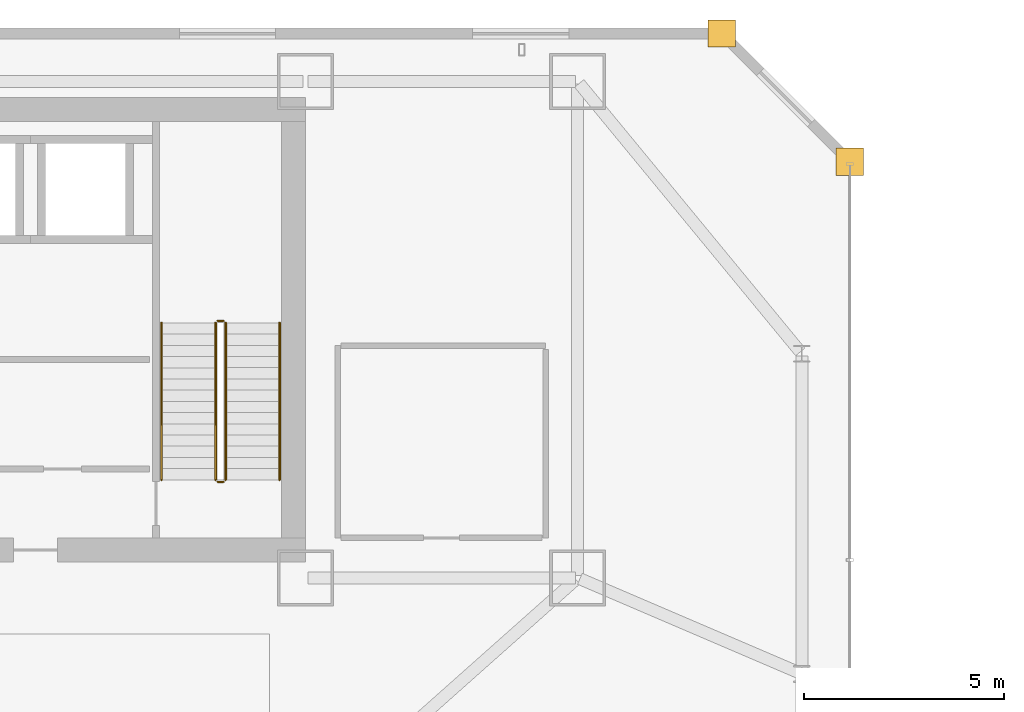
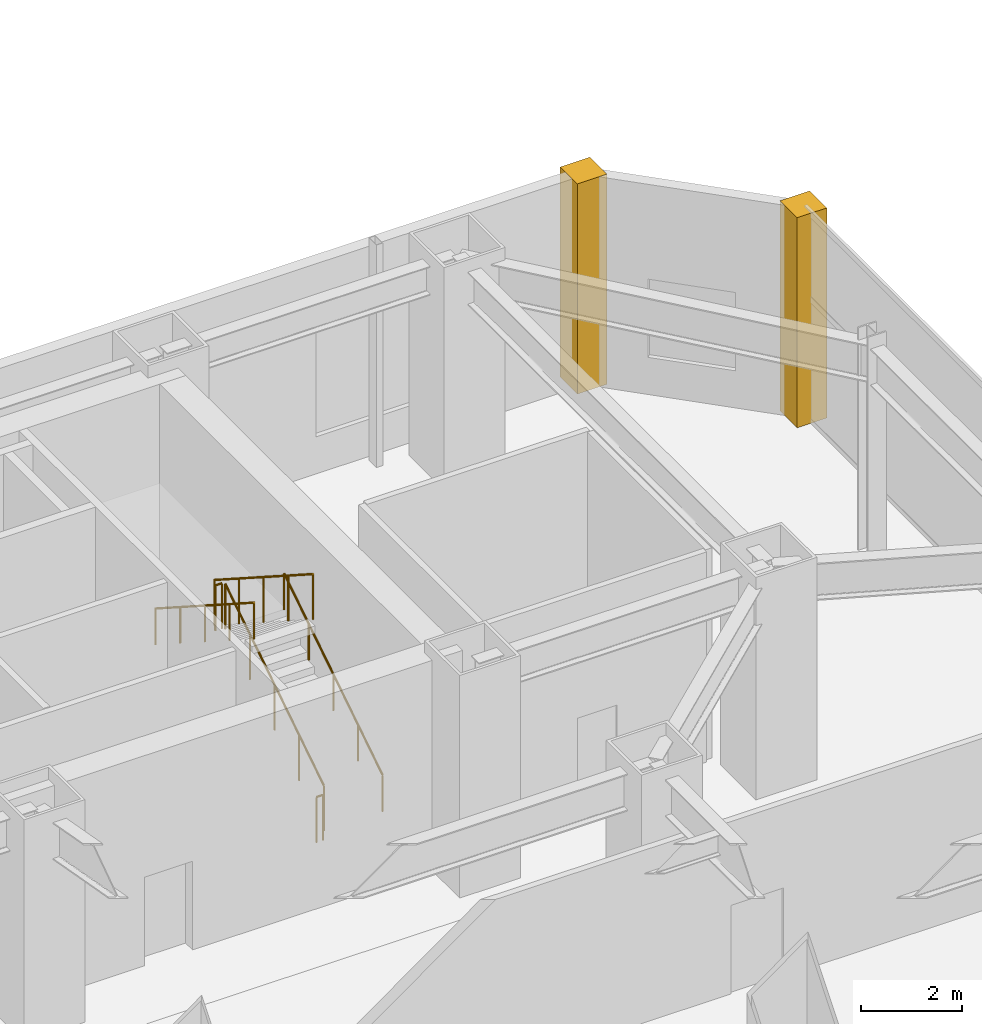
# One storey, part 49 of 52: 6 railings, 2 coverings.
"""IFC4 building model written with IfcOpenShell, lengths in metres."""

from ifc_helpers import new_model, si_unit, direction, frame, origin, origin_2d, place, context, subcontext, project, spatial, polyline, circle, outline, extrude, material, layer, layer_set, type_object, element, save


model = new_model("IFC4")

# Units and contexts
model_context = context("Model", 3, precision=1e-05, world=origin(), true_north=direction((0.0, 1.0)))
body_context = subcontext(model_context, "Body", "Model", "MODEL_VIEW")
ifc_project = project(units=[si_unit("LENGTHUNIT", "METRE"), si_unit("AREAUNIT", "SQUARE_METRE"), si_unit("VOLUMEUNIT", "CUBIC_METRE"), si_unit("PLANEANGLEUNIT", "RADIAN"), si_unit("MASSUNIT", "GRAM", prefix="KILO")], contexts=[model_context])

# Site, building, storey
site_placement = place(None, origin())
site = spatial("IfcSite", under=ifc_project, at=site_placement, CompositionType="ELEMENT")
building_placement = place(site_placement, origin())
building = spatial("IfcBuilding", under=site, at=building_placement, Name="Saevonmaru Cultural Tower", CompositionType="ELEMENT")
storey_placement = place(building_placement, frame((0.0, 0.0, 11.39990234375)))
storey = spatial("IfcBuildingStorey", under=building, at=storey_placement, Name="L02", CompositionType="ELEMENT", Elevation=11.39990234375)

# Coverings
ifc_material_1 = material(Name="Satin Bronze Anodised Aluminium", Category="aluminium")
ifc_layer = layer(ifc_material_1, 0.679931640625, Name="Satin Bronze Anodised Aluminium")
ifc_layer_set = layer_set([ifc_layer], Name="Satin Bronze Anodised Aluminium")
covering_type = type_object("IfcCoveringType", Name="CV-CORNER-CLAD", PredefinedType="CLADDING", material=ifc_layer_set)
covering_1_placement = place(storey_placement, origin())
element("IfcCovering", 1, at=covering_1_placement, inside=storey, type_object=covering_type, Name="L02 Podium Bronze Corner Cladding Pier 5", PredefinedType="CLADDING", context=body_context, shape_type="SweptSolid", body=[
    extrude(outline(polyline([(59.659912109375, 52.4599609375), (60.340087890625, 52.4599609375), (60.340087890625, 53.139892578125), (59.659912109375, 53.139892578125), (59.659912109375, 52.4599609375)])), origin(), (0.0, 0.0, 1.0), 5.10009765625),
])
covering_2_placement = place(storey_placement, origin())
element("IfcCovering", 2, at=covering_2_placement, inside=storey, type_object=covering_type, Name="L02 Podium Bronze Corner Cladding Pier 6", PredefinedType="CLADDING", context=body_context, shape_type="SweptSolid", body=[
    extrude(outline(polyline([(56.4599609375, 55.659912109375), (57.139892578125, 55.659912109375), (57.139892578125, 56.340087890625), (56.4599609375, 56.340087890625), (56.4599609375, 55.659912109375)])), origin(), (0.0, 0.0, 1.0), 5.10009765625),
])

# Railings
ifc_material_2 = material(Name="Architectural Painted Steel", Category="steel")
railing_type_1 = type_object("IfcRailingType", Name="RL-STAIR-GUARD", PredefinedType="GUARDRAIL", material=ifc_material_2)
railing_1_placement = place(storey_placement, frame((44.39990234375, 44.85009765625, 0.18017578125)))
element("IfcRailing", 3, at=railing_1_placement, inside=storey, type_object=railing_type_1, Name="L02 ST-2 stair guard 1", PredefinedType="GUARDRAIL", context=body_context, shape_type="SweptSolid", body=[
    extrude(circle(Radius=0.02392578125, at=origin_2d()), frame((0.0, 0.0, 1.09619140625), z_axis=(0.0, 0.841171666519, 0.540768182723), x_axis=(-1.0, 0.0, 0.0)), (0.0, 0.0, 1.0), 4.66015625),
    extrude(circle(Radius=0.02099609375, at=origin_2d()), origin(), (0.0, 0.0, 1.0), 1.072021484375),
    extrude(circle(Radius=0.02099609375, at=origin_2d()), frame((0.0, 0.97998046875, 0.6298828125)), (0.0, 0.0, 1.0), 1.072021484375),
    extrude(circle(Radius=0.02099609375, at=origin_2d()), frame((0.0, 1.9599609375, 1.260009765625)), (0.0, 0.0, 1.0), 1.072021484375),
    extrude(circle(Radius=0.02099609375, at=origin_2d()), frame((0.0, 2.93994140625, 1.89013671875)), (0.0, 0.0, 1.0), 1.072021484375),
    extrude(circle(Radius=0.02099609375, at=origin_2d()), frame((0.0, 3.919921875, 2.52001953125)), (0.0, 0.0, 1.0), 1.072021484375),
])
railing_2_placement = place(storey_placement, frame((44.35009765625, 48.820068359375, 2.7001953125)))
element("IfcRailing", 4, at=railing_2_placement, inside=storey, type_object=railing_type_1, Name="L02 ST-2 stair guard 2", PredefinedType="GUARDRAIL", context=body_context, shape_type="SweptSolid", body=[
    extrude(circle(Radius=0.02392578125, at=origin_2d()), frame((0.0, 0.0, 1.09619140625), z_axis=(-1.0, 0.0, 0.0), x_axis=(0.0, -1.0, 0.0)), (0.0, 0.0, 1.0), 0.150146484375),
    extrude(circle(Radius=0.02099609375, at=origin_2d()), origin(), (0.0, 0.0, 1.0), 1.072021484375),
    extrude(circle(Radius=0.02099609375, at=origin_2d()), frame((-0.150146484375, 0.0, 0.0)), (0.0, 0.0, 1.0), 1.072021484375),
])
railing_3_placement = place(storey_placement, frame((44.14990234375, 48.77001953125, 2.880126953125)))
element("IfcRailing", 5, at=railing_3_placement, inside=storey, type_object=railing_type_1, Name="L02 ST-2 stair guard 3", PredefinedType="GUARDRAIL", context=body_context, shape_type="SweptSolid", body=[
    extrude(circle(Radius=0.02392578125, at=origin_2d()), frame((0.0, 0.0, 1.09619140625), z_axis=(0.0, -0.841171666519, 0.540768182723), x_axis=(1.0, 0.0, 0.0)), (0.0, 0.0, 1.0), 4.66015625),
    extrude(circle(Radius=0.02099609375, at=origin_2d()), origin(), (0.0, 0.0, 1.0), 1.072021484375),
    extrude(circle(Radius=0.02099609375, at=origin_2d()), frame((0.0, -0.97998046875, 0.6298828125)), (0.0, 0.0, 1.0), 1.072021484375),
    extrude(circle(Radius=0.02099609375, at=origin_2d()), frame((0.0, -1.9599609375, 1.260009765625)), (0.0, 0.0, 1.0), 1.072021484375),
    extrude(circle(Radius=0.02099609375, at=origin_2d()), frame((0.0, -2.93994140625, 1.89013671875)), (0.0, 0.0, 1.0), 1.072021484375),
    extrude(circle(Radius=0.02099609375, at=origin_2d()), frame((0.0, -3.919921875, 2.52001953125)), (0.0, 0.0, 1.0), 1.072021484375),
])
railing_4_placement = place(storey_placement, frame((44.35009765625, 44.800048828125, 0.0)))
element("IfcRailing", 6, at=railing_4_placement, inside=storey, type_object=railing_type_1, Name="L02 ST-2 stair guard 4", PredefinedType="GUARDRAIL", context=body_context, shape_type="SweptSolid", body=[
    extrude(circle(Radius=0.02392578125, at=origin_2d()), frame((0.0, 0.0, 1.09619140625), z_axis=(-1.0, 0.0, 0.0), x_axis=(0.0, -1.0, 0.0)), (0.0, 0.0, 1.0), 0.150146484375),
    extrude(circle(Radius=0.02099609375, at=origin_2d()), origin(), (0.0, 0.0, 1.0), 1.072021484375),
    extrude(circle(Radius=0.02099609375, at=origin_2d()), frame((-0.150146484375, 0.0, 0.0)), (0.0, 0.0, 1.0), 1.072021484375),
])
railing_type_2 = type_object("IfcRailingType", Name="RL-STAIR-HANDRAIL", PredefinedType="HANDRAIL", material=ifc_material_1)
railing_5_placement = place(storey_placement, frame((45.75, 44.85009765625, 0.18017578125)))
element("IfcRailing", 7, at=railing_5_placement, inside=storey, type_object=railing_type_2, Name="L02 ST-2 stair handrail 1", PredefinedType="HANDRAIL", context=body_context, shape_type="SweptSolid", body=[
    extrude(circle(Radius=0.02392578125, at=origin_2d()), frame((0.0, 0.0, 0.8759765625), z_axis=(0.0, 0.841171666519, 0.540768182723), x_axis=(-1.0, 0.0, 0.0)), (0.0, 0.0, 1.0), 4.66015625),
    extrude(circle(Radius=0.02099609375, at=origin_2d()), origin(), (0.0, 0.0, 1.0), 0.851806640625),
    extrude(circle(Radius=0.02099609375, at=origin_2d()), frame((0.0, 0.97998046875, 0.6298828125)), (0.0, 0.0, 1.0), 0.851806640625),
    extrude(circle(Radius=0.02099609375, at=origin_2d()), frame((0.0, 1.9599609375, 1.260009765625)), (0.0, 0.0, 1.0), 0.851806640625),
    extrude(circle(Radius=0.02099609375, at=origin_2d()), frame((0.0, 2.93994140625, 1.89013671875)), (0.0, 0.0, 1.0), 0.851806640625),
    extrude(circle(Radius=0.02099609375, at=origin_2d()), frame((0.0, 3.919921875, 2.52001953125)), (0.0, 0.0, 1.0), 0.851806640625),
])
railing_6_placement = place(storey_placement, frame((42.800048828125, 48.77001953125, 2.880126953125)))
element("IfcRailing", 8, at=railing_6_placement, inside=storey, type_object=railing_type_2, Name="L02 ST-2 stair handrail 2", PredefinedType="HANDRAIL", context=body_context, shape_type="SweptSolid", body=[
    extrude(circle(Radius=0.02392578125, at=origin_2d()), frame((0.0, 0.0, 0.8759765625), z_axis=(0.0, -0.841171666519, 0.540768182723), x_axis=(1.0, 0.0, 0.0)), (0.0, 0.0, 1.0), 4.66015625),
    extrude(circle(Radius=0.02099609375, at=origin_2d()), origin(), (0.0, 0.0, 1.0), 0.851806640625),
    extrude(circle(Radius=0.02099609375, at=origin_2d()), frame((0.0, -0.97998046875, 0.6298828125)), (0.0, 0.0, 1.0), 0.851806640625),
    extrude(circle(Radius=0.02099609375, at=origin_2d()), frame((0.0, -1.9599609375, 1.260009765625)), (0.0, 0.0, 1.0), 0.851806640625),
    extrude(circle(Radius=0.02099609375, at=origin_2d()), frame((0.0, -2.93994140625, 1.89013671875)), (0.0, 0.0, 1.0), 0.851806640625),
    extrude(circle(Radius=0.02099609375, at=origin_2d()), frame((0.0, -3.919921875, 2.52001953125)), (0.0, 0.0, 1.0), 0.851806640625),
])

save(model, "model.ifc")
